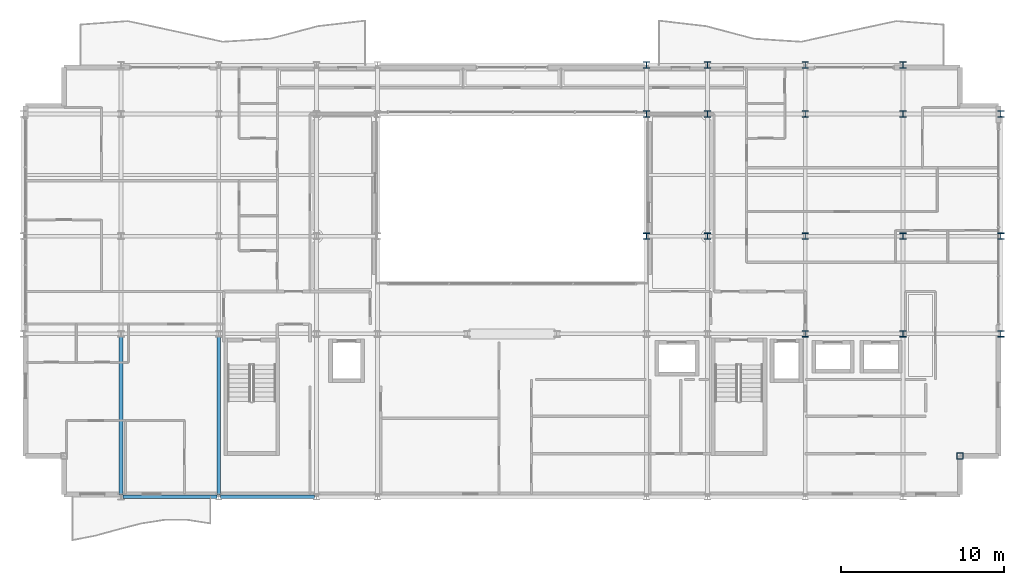
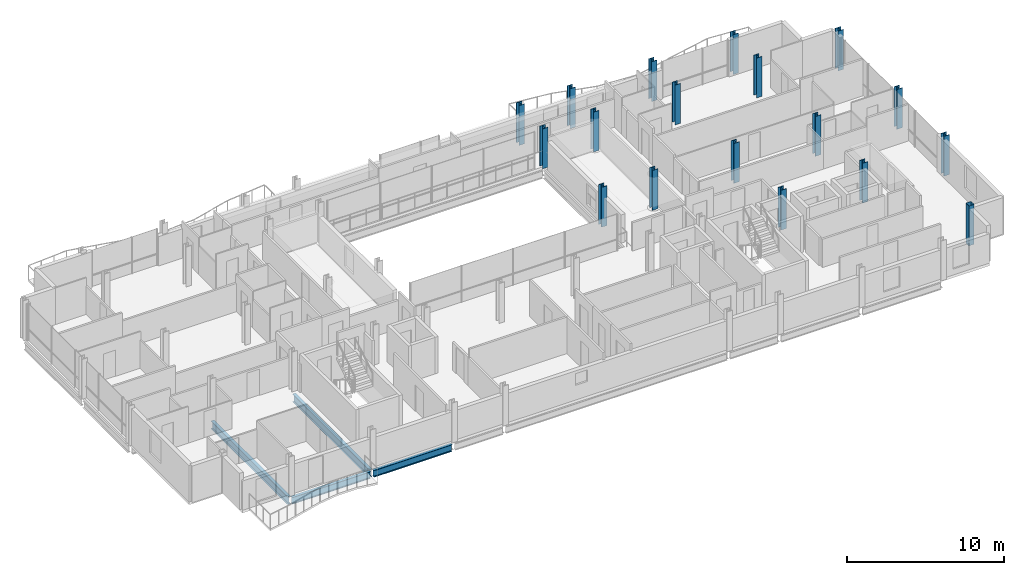
# One storey, part 2 of 36: 18 columns, 4 beams.
"""IFC4 building model written with IfcOpenShell, lengths in metres."""

from ifc_helpers import new_model, si_unit, direction, frame, origin, origin_2d, place, context, subcontext, project, spatial, hollow_rectangle, i_section, extrude, material, material_profile, profile_set, type_object, element, save


model = new_model("IFC4")

# Units and contexts
model_context = context("Model", 3, precision=1e-05, world=origin(), true_north=direction((0.0, 1.0)))
body_context = subcontext(model_context, "Body", "Model", "MODEL_VIEW")
ifc_project = project(units=[si_unit("LENGTHUNIT", "METRE"), si_unit("AREAUNIT", "SQUARE_METRE"), si_unit("VOLUMEUNIT", "CUBIC_METRE"), si_unit("PLANEANGLEUNIT", "RADIAN"), si_unit("MASSUNIT", "GRAM", prefix="KILO")], contexts=[model_context])

# Site, building, storey
site_placement = place(None, origin())
site = spatial("IfcSite", under=ifc_project, at=site_placement, CompositionType="ELEMENT")
building_placement = place(site_placement, origin())
building = spatial("IfcBuilding", under=site, at=building_placement, Name="Brevholm Reach", CompositionType="ELEMENT")
storey_placement = place(building_placement, frame((0.0, 0.0, 175.89990234375)))
storey = spatial("IfcBuildingStorey", under=building, at=storey_placement, Name="L53", CompositionType="ELEMENT", Elevation=175.89990234375)

# Columns
ifc_material_1 = material(Name="Structural Steel S460NH", Category="steel")
ifc_material_profile_1 = material_profile(ifc_material_1, hollow_rectangle(XDim=0.39990234375, YDim=0.39990234375, WallThickness=0.02001953125, InnerFilletRadius=0.011962890625, OuterFilletRadius=0.02392578125, at=origin_2d()), Name="SHS 400x400x20")
ifc_profile_set_1 = profile_set([ifc_material_profile_1], Name="Structural Steel S460NH")
column_type_1 = type_object("IfcColumnType", Name="COL-SHS2", PredefinedType="COLUMN", material=ifc_profile_set_1)
column_placement = place(storey_placement, frame((57.5, 2.5, 0.0), z_axis=(0.0, 0.0, 1.0), x_axis=(1.0, 0.0, 0.0)))
element("IfcColumn", 1, at=column_placement, inside=storey, type_object=column_type_1, Name="L53 Column 47", PredefinedType="COLUMN", context=body_context, shape_type="SweptSolid", body=[
    extrude(hollow_rectangle(XDim=0.39990234375, YDim=0.39990234375, WallThickness=0.02001953125, InnerFilletRadius=0.011962890625, OuterFilletRadius=0.02392578125, at=origin_2d()), origin(), (0.0, 0.0, 1.0), 3.10009765625),
])
ifc_material_2 = material(Name="Structural Steel S355J2", Category="steel")
ifc_material_profile_2 = material_profile(ifc_material_2, i_section(OverallWidth=0.39892578125, OverallDepth=0.3935546875, WebThickness=0.022705078125, FlangeThickness=0.03662109375, FilletRadius=0.01513671875, at=origin_2d()), Name="UKC 356x406x287")
ifc_profile_set_2 = profile_set([ifc_material_profile_2], Name="Structural Steel S355J2")
column_type_2 = type_object("IfcColumnType", Name="COL-UC5B", PredefinedType="COLUMN", material=ifc_profile_set_2)
for number, where, z_axis, x_axis, name in (
    (2, (38.25, 16.0, 0.0), (0.0, 0.0, 1.0), (1.0, 0.0, 0.0), "L53 Column 29"),
    (3, (38.25, 23.5, 0.0), (0.0, 0.0, 1.0), (1.0, 0.0, 0.0), "L53 Column 30"),
    (4, (38.25, 26.5, 0.0), (0.0, 0.0, 1.0), (1.0, 0.0, 0.0), "L53 Column 31"),
    (5, (42.0, 16.0, 0.0), (0.0, 0.0, 1.0), (1.0, 0.0, 0.0), "L53 Column 34"),
    (6, (42.0, 23.5, 0.0), (0.0, 0.0, 1.0), (1.0, 0.0, 0.0), "L53 Column 35"),
    (7, (42.0, 26.5, 0.0), (0.0, 0.0, 1.0), (1.0, 0.0, 0.0), "L53 Column 36"),
    (8, (48.0, 10.0, 0.0), (0.0, 0.0, 1.0), (1.0, 0.0, 0.0), "L53 Column 38"),
    (9, (48.0, 16.0, 0.0), (0.0, 0.0, 1.0), (1.0, 0.0, 0.0), "L53 Column 39"),
    (10, (48.0, 23.5, 0.0), (0.0, 0.0, 1.0), (1.0, 0.0, 0.0), "L53 Column 40"),
    (11, (48.0, 26.5, 0.0), (0.0, 0.0, 1.0), (1.0, 0.0, 0.0), "L53 Column 41"),
    (12, (54.0, 10.0, 0.0), (0.0, 0.0, 1.0), (1.0, 0.0, 0.0), "L53 Column 43"),
    (13, (54.0, 16.0, 0.0), (0.0, 0.0, 1.0), (1.0, 0.0, 0.0), "L53 Column 44"),
    (14, (54.0, 23.5, 0.0), (0.0, 0.0, 1.0), (1.0, 0.0, 0.0), "L53 Column 45"),
    (15, (54.0, 26.5, 0.0), (0.0, 0.0, 1.0), (1.0, 0.0, 0.0), "L53 Column 46"),
    (16, (60.0, 10.0, 0.0), (0.0, 0.0, 1.0), (1.0, 0.0, 0.0), "L53 Column 48"),
    (17, (60.0, 16.0, 0.0), (0.0, 0.0, 1.0), (1.0, 0.0, 0.0), "L53 Column 49"),
    (18, (60.0, 23.5, 0.0), (0.0, 0.0, 1.0), (1.0, 0.0, 0.0), "L53 Column 50"),
):
    element("IfcColumn", number, at=place(storey_placement, frame(where, z_axis=z_axis, x_axis=x_axis)), inside=storey, type_object=column_type_2, Name=name, PredefinedType="COLUMN", context=body_context, shape_type="SweptSolid", body=[
        extrude(i_section(OverallWidth=0.39892578125, OverallDepth=0.3935546875, WebThickness=0.022705078125, FlangeThickness=0.03662109375, FilletRadius=0.01513671875, at=origin_2d()), origin(), (0.0, 0.0, 1.0), 3.10009765625),
    ])

# Beams
ifc_material_3 = material(Name="Structural Steel S355J2", Category="steel")
ifc_material_profile_3 = material_profile(ifc_material_3, i_section(OverallWidth=0.209228515625, OverallDepth=0.533203125, WebThickness=0.010009765625, FlangeThickness=0.015625, FilletRadius=0.0126953125, at=origin_2d()), Name="UKB 533x210x92")
ifc_profile_set_3 = profile_set([ifc_material_profile_3], Name="Structural Steel S355J2")
beam_type_1 = type_object("IfcBeamType", Name="BM-SP533", PredefinedType="SPANDREL", material=ifc_profile_set_3)
for number, where, z_axis, x_axis, name in (
    (19, (6.1201171875, 0.0, -0.4765625), (1.0, 0.0, 0.0), (0.0, 1.0, 0.0), "L53 SP-02 Framing Beam"),
    (20, (12.1201171875, 0.0, -0.4765625), (1.0, 0.0, 0.0), (0.0, 1.0, 0.0), "L53 SP-02 Framing Beam"),
):
    element("IfcBeam", number, at=place(storey_placement, frame(where, z_axis=z_axis, x_axis=x_axis)), inside=storey, type_object=beam_type_1, Name=name, PredefinedType="SPANDREL", context=body_context, shape_type="SweptSolid", body=[
        extrude(i_section(OverallWidth=0.209228515625, OverallDepth=0.533203125, WebThickness=0.010009765625, FlangeThickness=0.015625, FilletRadius=0.0126953125, at=origin_2d()), origin(), (0.0, 0.0, 1.0), 5.759765625),
    ])
ifc_material_4 = material(Name="Structural Steel S355J2", Category="steel")
ifc_material_profile_4 = material_profile(ifc_material_4, i_section(OverallWidth=0.22900390625, OverallDepth=0.6123046875, WebThickness=0.011962890625, FlangeThickness=0.01953125, FilletRadius=0.0126953125, at=origin_2d()), Name="UKB 610x229x125")
ifc_profile_set_4 = profile_set([ifc_material_profile_4], Name="Structural Steel S355J2")
beam_type_2 = type_object("IfcBeamType", Name="BM-SP610", PredefinedType="SPANDREL", material=ifc_profile_set_4)
for number, where, z_axis, x_axis, name in (
    (21, (6.0, 0.1201171875, -0.51611328125), (0.0, 1.0, 0.0), (-1.0, 0.0, 0.0), "L53 SP-01 Framing Beam"),
    (22, (12.0, 0.1201171875, -0.51611328125), (0.0, 1.0, 0.0), (-1.0, 0.0, 0.0), "L53 SP-01 Framing Beam"),
):
    element("IfcBeam", number, at=place(storey_placement, frame(where, z_axis=z_axis, x_axis=x_axis)), inside=storey, type_object=beam_type_2, Name=name, PredefinedType="SPANDREL", context=body_context, shape_type="SweptSolid", body=[
        extrude(i_section(OverallWidth=0.22900390625, OverallDepth=0.6123046875, WebThickness=0.011962890625, FlangeThickness=0.01953125, FilletRadius=0.0126953125, at=origin_2d()), origin(), (0.0, 0.0, 1.0), 9.759765625),
    ])

save(model, "model.ifc")
